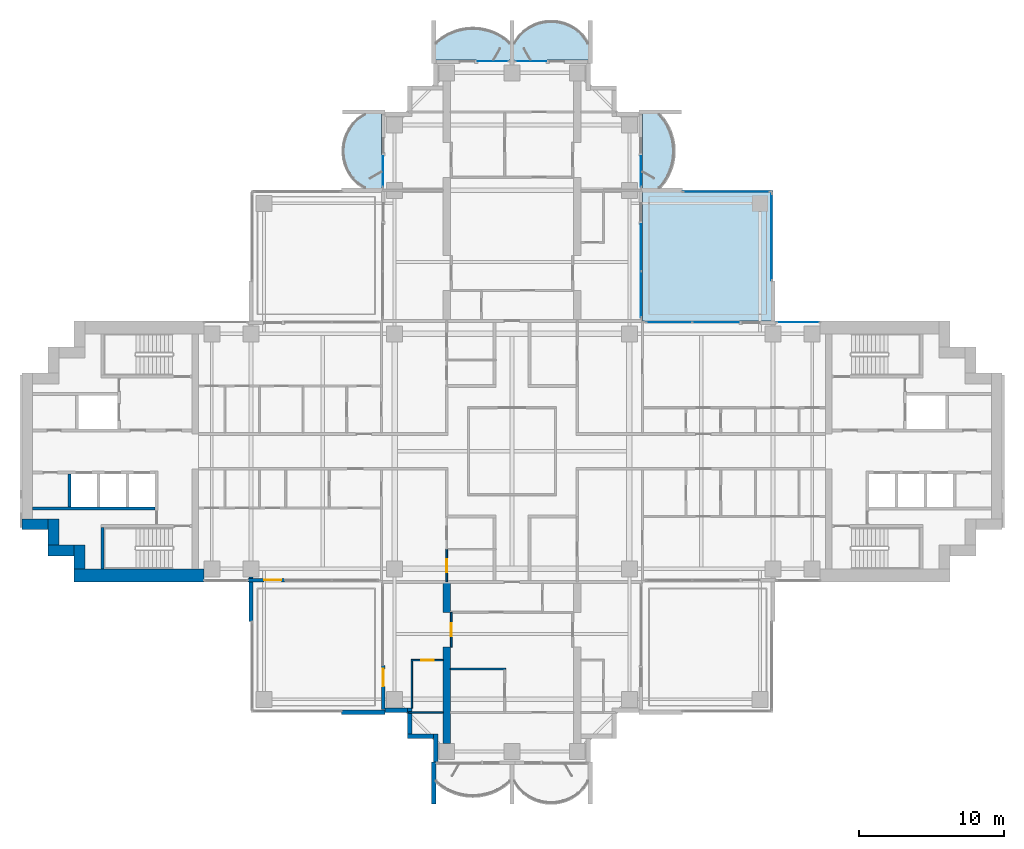
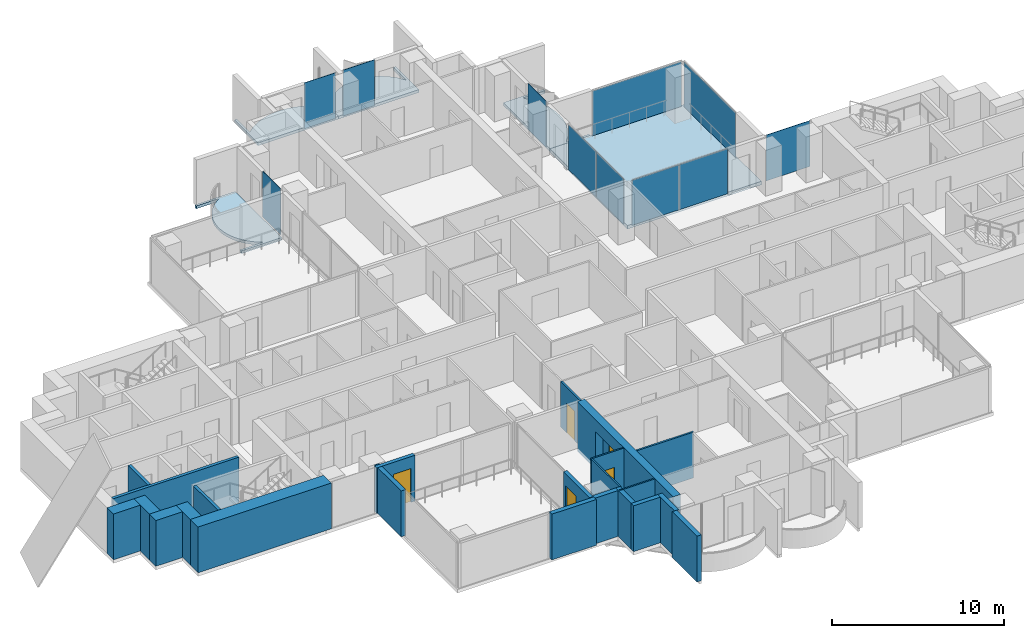
# One storey, part 8 of 18: 24 walls, 11 plates, 5 doors, 5 slabs, 5 openings, 9 elements without a shape of their own.
"""IFC4 building model written with IfcOpenShell, lengths in metres."""

from ifc_helpers import new_model, si_unit, direction, frame, frame_2d, origin, origin_2d, place, context, subcontext, project, spatial, polyline, rectangle, outline, extrude, material, layer, layer_set, material_profile, profile_set, type_object, element, fill, aggregate, save


model = new_model("IFC4")

# Units and contexts
model_context = context("Model", 3, precision=1e-05, world=origin(), true_north=direction((0.0, 1.0)))
body_context = subcontext(model_context, "Body", "Model", "MODEL_VIEW")
ifc_project = project(units=[si_unit("LENGTHUNIT", "METRE"), si_unit("AREAUNIT", "SQUARE_METRE"), si_unit("VOLUMEUNIT", "CUBIC_METRE"), si_unit("PLANEANGLEUNIT", "RADIAN"), si_unit("MASSUNIT", "GRAM", prefix="KILO")], contexts=[model_context])

# Site, building, storey
site_placement = place(None, origin())
site = spatial("IfcSite", under=ifc_project, at=site_placement, CompositionType="ELEMENT")
building_placement = place(site_placement, origin())
building = spatial("IfcBuilding", under=site, at=building_placement, Name="Perihelion Cross Residences", CompositionType="ELEMENT")
storey_placement = place(building_placement, frame((0.0, 0.0, 133.89990234375)))
storey = spatial("IfcBuildingStorey", under=building, at=storey_placement, Name="L32", CompositionType="ELEMENT", Elevation=133.89990234375)

# Slabs
ifc_material_1 = material(Name="Concrete C40/50", Category="concrete")
ifc_layer_1 = layer(ifc_material_1, 0.199951171875)
ifc_layer_set_1 = layer_set([ifc_layer_1], Name="Balcony slab 200")
slab_type_1 = type_object("IfcSlabType", Name="Balcony slab 200", PredefinedType="FLOOR", material=ifc_layer_set_1)
slab_1_placement = place(storey_placement, frame((0.0, 0.0, -0.199951171875)))
element("IfcSlab", 1, at=slab_1_placement, inside=storey, type_object=slab_type_1, Name="Slab BK1 L32 north side east bay 2 balcony", PredefinedType="FLOOR", context=body_context, shape_type="SweptSolid", body=[
    extrude(outline(polyline([(9.0, 18.0), (9.0, 23.39990234375), (11.699951171875, 23.39990234375), (11.699951171875, 23.25), (10.199951171875, 23.25), (10.5400390625, 22.824951171875), (10.792724609375, 22.39990234375), (10.9765625, 21.97509765625), (11.1025390625, 21.550048828125), (11.17578125, 21.125), (11.199951171875, 20.699951171875), (11.17578125, 20.27490234375), (11.1025390625, 19.85009765625), (10.9765625, 19.425048828125), (10.792724609375, 19.0), (10.5400390625, 18.574951171875), (10.199951171875, 18.14990234375), (11.699951171875, 18.14990234375), (11.699951171875, 18.0), (9.0, 18.0)])), origin(), (0.0, 0.0, 1.0), 0.199951171875),
])
slab_2_placement = place(storey_placement, frame((0.0, 0.0, -0.199951171875)))
element("IfcSlab", 2, at=slab_2_placement, inside=storey, type_object=slab_type_1, Name="Slab BK1 L32 north tip north bay 1 balcony", PredefinedType="FLOOR", context=body_context, shape_type="SweptSolid", body=[
    extrude(outline(polyline([(5.39990234375, 27.0), (0.0, 27.0), (0.0, 29.699951171875), (0.14990234375, 29.699951171875), (0.14990234375, 28.199951171875), (0.489990234375, 28.6767578125), (0.830078125, 29.007080078125), (1.169921875, 29.2490234375), (1.510009765625, 29.42724609375), (1.85009765625, 29.553466796875), (2.18994140625, 29.63427734375), (2.530029296875, 29.674072265625), (2.8701171875, 29.674072265625), (3.2099609375, 29.63427734375), (3.550048828125, 29.553466796875), (3.889892578125, 29.42724609375), (4.22998046875, 29.2490234375), (4.570068359375, 29.007080078125), (4.909912109375, 28.6767578125), (5.25, 28.199951171875), (5.25, 29.699951171875), (5.39990234375, 29.699951171875), (5.39990234375, 27.0)])), origin(), (0.0, 0.0, 1.0), 0.199951171875),
])
slab_3_placement = place(storey_placement, frame((0.0, 0.0, -0.199951171875)))
element("IfcSlab", 3, at=slab_3_placement, inside=storey, type_object=slab_type_1, Name="Slab BK1 L32 north tip north bay 2 balcony", PredefinedType="FLOOR", context=body_context, shape_type="SweptSolid", body=[
    extrude(outline(polyline([(0.0, 27.0), (-5.39990234375, 27.0), (-5.39990234375, 29.699951171875), (-5.25, 29.699951171875), (-5.25, 28.199951171875), (-4.824951171875, 28.5400390625), (-4.39990234375, 28.792724609375), (-3.97509765625, 28.9765625), (-3.550048828125, 29.1025390625), (-3.125, 29.17578125), (-2.699951171875, 29.199951171875), (-2.27490234375, 29.17578125), (-1.85009765625, 29.1025390625), (-1.425048828125, 28.9765625), (-1.0, 28.792724609375), (-0.574951171875, 28.5400390625), (-0.14990234375, 28.199951171875), (-0.14990234375, 29.699951171875), (0.0, 29.699951171875), (0.0, 27.0)])), origin(), (0.0, 0.0, 1.0), 0.199951171875),
])
slab_4_placement = place(storey_placement, frame((0.0, 0.0, -0.199951171875)))
element("IfcSlab", 4, at=slab_4_placement, inside=storey, type_object=slab_type_1, Name="Slab BK1 L32 north side west bay 1 balcony", PredefinedType="FLOOR", context=body_context, shape_type="SweptSolid", body=[
    extrude(outline(polyline([(-9.0, 23.39990234375), (-9.0, 18.0), (-11.699951171875, 18.0), (-11.699951171875, 18.14990234375), (-10.199951171875, 18.14990234375), (-10.6767578125, 18.489990234375), (-11.007080078125, 18.830078125), (-11.2490234375, 19.169921875), (-11.42724609375, 19.510009765625), (-11.553466796875, 19.85009765625), (-11.63427734375, 20.18994140625), (-11.674072265625, 20.530029296875), (-11.674072265625, 20.8701171875), (-11.63427734375, 21.2099609375), (-11.553466796875, 21.550048828125), (-11.42724609375, 21.889892578125), (-11.2490234375, 22.22998046875), (-11.007080078125, 22.570068359375), (-10.6767578125, 22.909912109375), (-10.199951171875, 23.25), (-11.699951171875, 23.25), (-11.699951171875, 23.39990234375), (-9.0, 23.39990234375)])), origin(), (0.0, 0.0, 1.0), 0.199951171875),
])

# Curtain wall, plate
ifc_material_2 = material(Name="Bronze anodised aluminium, tinted glazing", Category="aluminium")
curtain_wall_type_1 = type_object("IfcCurtainWallType", Name="CW1", PredefinedType="NOTDEFINED", material=ifc_material_2)
curtain_wall_1_placement = place(storey_placement, origin())
curtain_wall_1 = element("IfcCurtainWall", 5, at=curtain_wall_1_placement, inside=storey, type_object=curtain_wall_type_1, Name="Curtain wall CW1 L32 east side north bay 1", PredefinedType="NOTDEFINED")
ifc_material_3 = material(Name="Tinted laminated glass", Category="glass")
ifc_layer_2 = layer(ifc_material_3, 0.028076171875)
ifc_layer_set_2 = layer_set([ifc_layer_2], Name="CW1 panel")
plate_type_1 = type_object("IfcPlateType", Name="CW1 panel", PredefinedType="CURTAIN_PANEL", material=ifc_layer_set_2)
plate_1_placement = place(storey_placement, frame((19.72509765625, 8.89990234375, 0.0), z_axis=(0.0, 0.0, 1.0), x_axis=(-1.0, 0.0, 0.0)))
plate_1 = element("IfcPlate", 6, at=plate_1_placement, type_object=plate_type_1, Name="CW1 panel 1", PredefinedType="CURTAIN_PANEL", context=body_context, shape_type="SweptSolid", body=[
    extrude(rectangle(XDim=2.929931640625, YDim=0.028076171875, at=origin_2d()), origin(), (0.0, 0.0, 1.0), 3.25),
])
aggregate(curtain_wall_1, [plate_1])

# Curtain wall, plates
curtain_wall_2_placement = place(storey_placement, origin())
curtain_wall_2 = element("IfcCurtainWall", 7, at=curtain_wall_2_placement, inside=storey, type_object=curtain_wall_type_1, Name="Curtain wall CW1 L32 east side north bay 2", PredefinedType="NOTDEFINED")
plate_2_placement = place(storey_placement, frame((14.052490234375, 8.89990234375, 0.000244140625), z_axis=(0.0, 0.0, 1.0), x_axis=(-1.0, 0.0, 0.0)))
plate_2 = element("IfcPlate", 8, at=plate_2_placement, type_object=plate_type_1, Name="CW1 panel 1", PredefinedType="CURTAIN_PANEL", context=body_context, shape_type="SweptSolid", body=[
    extrude(rectangle(XDim=3.195068359375, YDim=0.028076171875, at=origin_2d()), origin(), (0.0, 0.0, 1.0), 3.18994140625),
])
plate_3_placement = place(storey_placement, frame((10.827392578125, 8.89990234375, 0.000244140625), z_axis=(0.0, 0.0, 1.0), x_axis=(-1.0, 0.0, 0.0)))
plate_3 = element("IfcPlate", 9, at=plate_3_placement, type_object=plate_type_1, Name="CW1 panel 2", PredefinedType="CURTAIN_PANEL", context=body_context, shape_type="SweptSolid", body=[
    extrude(rectangle(XDim=3.135009765625, YDim=0.028076171875, at=origin_2d()), origin(), (0.0, 0.0, 1.0), 3.18994140625),
])
aggregate(curtain_wall_2, [plate_2, plate_3])

curtain_wall_3_placement = place(storey_placement, origin())
curtain_wall_3 = element("IfcCurtainWall", 10, at=curtain_wall_3_placement, inside=storey, type_object=curtain_wall_type_1, Name="Curtain wall CW1 L32 north side east bay 1", PredefinedType="NOTDEFINED")
plate_4_placement = place(storey_placement, frame((8.89990234375, 10.827392578125, 0.000244140625), z_axis=(0.0, 0.0, 1.0), x_axis=(0.0, 1.0, 0.0)))
plate_4 = element("IfcPlate", 11, at=plate_4_placement, type_object=plate_type_1, Name="CW1 panel 1", PredefinedType="CURTAIN_PANEL", context=body_context, shape_type="SweptSolid", body=[
    extrude(rectangle(XDim=3.135009765625, YDim=0.028076171875, at=origin_2d()), origin(), (0.0, 0.0, 1.0), 3.18994140625),
])
plate_5_placement = place(storey_placement, frame((8.89990234375, 14.052490234375, 0.000244140625), z_axis=(0.0, 0.0, 1.0), x_axis=(0.0, 1.0, 0.0)))
plate_5 = element("IfcPlate", 12, at=plate_5_placement, type_object=plate_type_1, Name="CW1 panel 2", PredefinedType="CURTAIN_PANEL", context=body_context, shape_type="SweptSolid", body=[
    extrude(rectangle(XDim=3.195068359375, YDim=0.028076171875, at=origin_2d()), origin(), (0.0, 0.0, 1.0), 3.18994140625),
])
aggregate(curtain_wall_3, [plate_4, plate_5])

# Curtain wall, plate
curtain_wall_4_placement = place(storey_placement, origin())
curtain_wall_4 = element("IfcCurtainWall", 13, at=curtain_wall_4_placement, inside=storey, type_object=curtain_wall_type_1, Name="Curtain wall CW1 L32 north side east bay 2", PredefinedType="NOTDEFINED")
plate_6_placement = place(storey_placement, frame((8.89990234375, 19.304931640625, 0.0), z_axis=(0.0, 0.0, 1.0), x_axis=(0.0, 1.0, 0.0)))
plate_6 = element("IfcPlate", 14, at=plate_6_placement, type_object=plate_type_1, Name="CW1 panel 1", PredefinedType="CURTAIN_PANEL", context=body_context, shape_type="SweptSolid", body=[
    extrude(rectangle(XDim=2.090087890625, YDim=0.028076171875, at=origin_2d()), origin(), (0.0, 0.0, 1.0), 3.25),
])
aggregate(curtain_wall_4, [plate_6])

curtain_wall_5_placement = place(storey_placement, origin())
curtain_wall_5 = element("IfcCurtainWall", 15, at=curtain_wall_5_placement, inside=storey, type_object=curtain_wall_type_1, Name="Curtain wall CW1 L32 north tip north bay 1", PredefinedType="NOTDEFINED")
plate_7_placement = place(storey_placement, frame((1.304931640625, 26.89990234375, 0.0), z_axis=(0.0, 0.0, 1.0), x_axis=(-1.0, 0.0, 0.0)))
plate_7 = element("IfcPlate", 16, at=plate_7_placement, type_object=plate_type_1, Name="CW1 panel 1", PredefinedType="CURTAIN_PANEL", context=body_context, shape_type="SweptSolid", body=[
    extrude(rectangle(XDim=2.090087890625, YDim=0.028076171875, at=origin_2d()), origin(), (0.0, 0.0, 1.0), 3.25),
])
aggregate(curtain_wall_5, [plate_7])

curtain_wall_6_placement = place(storey_placement, origin())
curtain_wall_6 = element("IfcCurtainWall", 17, at=curtain_wall_6_placement, inside=storey, type_object=curtain_wall_type_1, Name="Curtain wall CW1 L32 north tip north bay 2", PredefinedType="NOTDEFINED")
plate_8_placement = place(storey_placement, frame((-1.304931640625, 26.89990234375, 0.0), z_axis=(0.0, 0.0, 1.0), x_axis=(-1.0, 0.0, 0.0)))
plate_8 = element("IfcPlate", 18, at=plate_8_placement, type_object=plate_type_1, Name="CW1 panel 1", PredefinedType="CURTAIN_PANEL", context=body_context, shape_type="SweptSolid", body=[
    extrude(rectangle(XDim=2.090087890625, YDim=0.028076171875, at=origin_2d()), origin(), (0.0, 0.0, 1.0), 3.25),
])
aggregate(curtain_wall_6, [plate_8])

curtain_wall_7_placement = place(storey_placement, origin())
curtain_wall_7 = element("IfcCurtainWall", 19, at=curtain_wall_7_placement, inside=storey, type_object=curtain_wall_type_1, Name="Curtain wall CW1 L32 north side west bay 1", PredefinedType="NOTDEFINED")
plate_9_placement = place(storey_placement, frame((-8.89990234375, 19.304931640625, 0.0), z_axis=(0.0, 0.0, 1.0), x_axis=(0.0, -1.0, 0.0)))
plate_9 = element("IfcPlate", 20, at=plate_9_placement, type_object=plate_type_1, Name="CW1 panel 1", PredefinedType="CURTAIN_PANEL", context=body_context, shape_type="SweptSolid", body=[
    extrude(rectangle(XDim=2.090087890625, YDim=0.028076171875, at=origin_2d()), origin(), (0.0, 0.0, 1.0), 3.25),
])
aggregate(curtain_wall_7, [plate_9])

ifc_material_4 = material(Name="Bronze anodised aluminium, tinted glazing", Category="aluminium")
curtain_wall_type_2 = type_object("IfcCurtainWallType", Name="CW4", PredefinedType="NOTDEFINED", material=ifc_material_4)
curtain_wall_8_placement = place(storey_placement, origin())
curtain_wall_8 = element("IfcCurtainWall", 21, at=curtain_wall_8_placement, inside=storey, type_object=curtain_wall_type_2, Name="Curtain wall CW4 L32 pocket north-east 1 1", PredefinedType="NOTDEFINED")
ifc_material_5 = material(Name="Tinted laminated glass", Category="glass")
ifc_layer_3 = layer(ifc_material_5, 0.030029296875)
ifc_layer_set_3 = layer_set([ifc_layer_3], Name="CW4 panel")
plate_type_2 = type_object("IfcPlateType", Name="CW4 panel", PredefinedType="CURTAIN_PANEL", material=ifc_layer_set_3)
plate_10_placement = place(storey_placement, frame((14.784912109375, 17.89990234375, 0.000244140625), z_axis=(0.0, 0.0, 1.0), x_axis=(1.0, 0.0, 0.0)))
plate_10 = element("IfcPlate", 22, at=plate_10_placement, type_object=plate_type_2, Name="CW4 panel 1", PredefinedType="CURTAIN_PANEL", context=body_context, shape_type="SweptSolid", body=[
    extrude(rectangle(XDim=5.969970703125, YDim=0.030029296875, at=origin_2d()), origin(), (0.0, 0.0, 1.0), 3.18994140625),
])
aggregate(curtain_wall_8, [plate_10])

curtain_wall_9_placement = place(storey_placement, origin())
curtain_wall_9 = element("IfcCurtainWall", 23, at=curtain_wall_9_placement, inside=storey, type_object=curtain_wall_type_2, Name="Curtain wall CW4 L32 pocket north-east 1 2", PredefinedType="NOTDEFINED")
plate_11_placement = place(storey_placement, frame((17.89990234375, 14.784912109375, 0.000244140625), z_axis=(0.0, 0.0, 1.0), x_axis=(0.0, -1.0, 0.0)))
plate_11 = element("IfcPlate", 24, at=plate_11_placement, type_object=plate_type_2, Name="CW4 panel 1", PredefinedType="CURTAIN_PANEL", context=body_context, shape_type="SweptSolid", body=[
    extrude(rectangle(XDim=5.969970703125, YDim=0.030029296875, at=origin_2d()), origin(), (0.0, 0.0, 1.0), 3.18994140625),
])
aggregate(curtain_wall_9, [plate_11])

# Slab
ifc_material_6 = material(Name="Concrete C40/50", Category="concrete")
ifc_layer_4 = layer(ifc_material_6, 0.25)
ifc_layer_set_4 = layer_set([ifc_layer_4], Name="Winter garden slab")
slab_type_2 = type_object("IfcSlabType", Name="Winter garden slab", PredefinedType="FLOOR", material=ifc_layer_set_4)
slab_5_placement = place(storey_placement, frame((0.0, 0.0, -0.25)))
element("IfcSlab", 25, at=slab_5_placement, inside=storey, type_object=slab_type_2, Name="Slab BK3 L32 pocket north-east", PredefinedType="FLOOR", context=body_context, shape_type="SweptSolid", body=[
    extrude(outline(polyline([(18.0, 9.0), (18.0, 18.0), (9.0, 18.0), (9.0, 9.0), (18.0, 9.0)])), origin(), (0.0, 0.0, 1.0), 0.25),
])

# Wall, opening, door
ifc_material_7 = material(Name="Concrete C30/37, bronze-clad", Category="concrete")
ifc_layer_5 = layer(ifc_material_7, 0.25)
ifc_layer_set_5 = layer_set([ifc_layer_5], Name="Bronze-clad pier wall 250")
wall_type_1 = type_object("IfcWallType", Name="Bronze-clad pier wall 250", PredefinedType="SOLIDWALL", material=ifc_layer_set_5)
wall_1_placement = place(storey_placement, frame((-18.199951171875, -8.875, 0.0), z_axis=(0.0, 0.0, 1.0), x_axis=(1.0, 0.0, 0.0)))
wall_1 = element("IfcWall", 26, at=wall_1_placement, inside=storey, type_object=wall_type_1, Name="Wall FW1 L32 west side south bay 2 pier", PredefinedType="SOLIDWALL", context=body_context, shape_type="SweptSolid", body=[
    extrude(rectangle(XDim=2.550048828125, YDim=0.25, at=frame_2d((1.27490234375, 0.0))), origin(), (0.0, 0.0, 1.0), 3.25),
])
opening_1_placement = place(wall_1_placement, frame((1.10009765625, 0.0, 0.0)))
opening_1 = element("IfcOpeningElement", 27, at=opening_1_placement, cuts=wall_1, Name="Opening L32.E09", PredefinedType="OPENING", context=body_context, shape_type="SweptSolid", body=[
    extrude(rectangle(XDim=1.199951171875, YDim=2.39990234375, at=frame_2d((0.60009765625, 1.199951171875))), frame((0.0, 0.135009765625, 0.0), z_axis=(0.0, -1.0, 0.0), x_axis=(1.0, 0.0, 0.0)), (0.0, 0.0, 1.0), 0.27001953125),
])
ifc_material_8 = material(Name="Bronze anodised aluminium, glazed", Category="aluminium")
door_type_1 = type_object("IfcDoorType", Name="Balcony door 1200 x 2400", OperationType="NOTDEFINED", PredefinedType="DOOR", material=ifc_material_8)
door_1_placement = place(opening_1_placement, origin())
door_1 = element("IfcDoor", 28, at=door_1_placement, inside=storey, type_object=door_type_1, Name="Door L32.E09 west side south bay 2", OperationType="SINGLE_SWING_RIGHT", OverallHeight=2.39990234375, OverallWidth=1.199951171875, PredefinedType="DOOR", context=body_context, shape_type="SweptSolid", body=[
    extrude(rectangle(XDim=1.199951171875, YDim=2.39990234375, at=frame_2d((0.60009765625, 1.199951171875))), frame((0.0, 0.02490234375, 0.0), z_axis=(0.0, -1.0, 0.0), x_axis=(1.0, 0.0, 0.0)), (0.0, 0.0, 1.0), 0.050048828125),
])
fill(opening_1, door_1)

wall_2_placement = place(storey_placement, frame((-8.875, -14.75, 0.0), z_axis=(0.0, 0.0, 1.0), x_axis=(0.0, -1.0, 0.0)))
wall_2 = element("IfcWall", 29, at=wall_2_placement, inside=storey, type_object=wall_type_1, Name="Wall FW1 L32 south side west bay 1 pier", PredefinedType="SOLIDWALL", context=body_context, shape_type="SweptSolid", body=[
    extrude(rectangle(XDim=3.050048828125, YDim=0.25, at=frame_2d((1.52490234375, 0.0))), origin(), (0.0, 0.0, 1.0), 3.25),
])
opening_2_placement = place(wall_2_placement, frame((0.25, 0.0, 0.0)))
opening_2 = element("IfcOpeningElement", 30, at=opening_2_placement, cuts=wall_2, Name="Opening L32.E10", PredefinedType="OPENING", context=body_context, shape_type="SweptSolid", body=[
    extrude(rectangle(XDim=1.199951171875, YDim=2.39990234375, at=frame_2d((0.60009765625, 1.199951171875))), frame((0.0, 0.135009765625, 0.0), z_axis=(0.0, -1.0, 0.0), x_axis=(1.0, 0.0, 0.0)), (0.0, 0.0, 1.0), 0.27001953125),
])
door_2_placement = place(opening_2_placement, origin())
door_2 = element("IfcDoor", 31, at=door_2_placement, inside=storey, type_object=door_type_1, Name="Door L32.E10 south side west bay 1", OperationType="SINGLE_SWING_LEFT", OverallHeight=2.39990234375, OverallWidth=1.199951171875, PredefinedType="DOOR", context=body_context, shape_type="SweptSolid", body=[
    extrude(rectangle(XDim=1.199951171875, YDim=2.39990234375, at=frame_2d((0.60009765625, 1.199951171875))), frame((0.0, 0.02490234375, 0.0), z_axis=(0.0, -1.0, 0.0), x_axis=(1.0, 0.0, 0.0)), (0.0, 0.0, 1.0), 0.050048828125),
])
fill(opening_2, door_2)

# Walls
ifc_material_9 = material(Name="Concrete C30/37, bronze-clad", Category="concrete")
ifc_layer_6 = layer(ifc_material_9, 0.300048828125)
ifc_layer_set_6 = layer_set([ifc_layer_6], Name="Bronze-clad serration wall 300")
wall_type_2 = type_object("IfcWallType", Name="Bronze-clad serration wall 300", PredefinedType="SOLIDWALL", material=ifc_layer_set_6)
wall_3_placement = place(storey_placement, frame((-8.75, -17.85009765625, 0.0), z_axis=(0.0, 0.0, 1.0), x_axis=(1.0, 0.0, 0.0)))
element("IfcWall", 32, at=wall_3_placement, inside=storey, type_object=wall_type_2, Name="Wall SR1 L32 south corner south-west 1", PredefinedType="SOLIDWALL", context=body_context, shape_type="SweptSolid", body=[
    extrude(rectangle(XDim=1.550048828125, YDim=0.300048828125, at=frame_2d((0.77490234375, 0.0))), origin(), (0.0, 0.0, 1.0), 3.25),
])
for number, where, z_axis, x_axis, name in (
    (33, (-7.050048828125, -17.699951171875, 0.0), (0.0, 0.0, 1.0), (0.0, -1.0, 0.0), "Wall SR1 L32 south corner south-west 2"),
    (34, (-7.199951171875, -19.64990234375, 0.0), (0.0, 0.0, 1.0), (1.0, 0.0, 0.0), "Wall SR1 L32 south corner south-west 3"),
):
    element("IfcWall", number, at=place(storey_placement, frame(where, z_axis=z_axis, x_axis=x_axis)), inside=storey, type_object=wall_type_2, Name=name, PredefinedType="SOLIDWALL", context=body_context, shape_type="SweptSolid", body=[
        extrude(rectangle(XDim=1.800048828125, YDim=0.300048828125, at=frame_2d((0.89990234375, 0.0))), origin(), (0.0, 0.0, 1.0), 3.25),
    ])
wall_4_placement = place(storey_placement, frame((-5.25, -19.5, 0.0), z_axis=(0.0, 0.0, 1.0), x_axis=(0.0, -1.0, 0.0)))
element("IfcWall", 35, at=wall_4_placement, inside=storey, type_object=wall_type_2, Name="Wall SR1 L32 south corner south-west 4", PredefinedType="SOLIDWALL", context=body_context, shape_type="SweptSolid", body=[
    extrude(rectangle(XDim=1.919921875, YDim=0.300048828125, at=frame_2d((0.9599609375, 0.0))), origin(), (0.0, 0.0, 1.0), 3.25),
])
ifc_material_10 = material(Name="Concrete C60/75", Category="concrete")
ifc_layer_7 = layer(ifc_material_10, 0.75)
ifc_layer_set_7 = layer_set([ifc_layer_7], Name="Core wall, outer 750")
wall_type_3 = type_object("IfcWallType", Name="Core wall, outer 750", PredefinedType="SHEAR", material=ifc_layer_set_7)
wall_5_placement = place(storey_placement, frame((-29.824951171875, -8.10009765625, 0.0), z_axis=(0.0, 0.0, 1.0), x_axis=(0.0, 1.0, 0.0)))
element("IfcWall", 36, at=wall_5_placement, inside=storey, type_object=wall_type_3, Name="West core core wall, outer", PredefinedType="SHEAR", context=body_context, shape_type="SweptSolid", body=[
    extrude(rectangle(XDim=1.650146484375, YDim=0.75, at=frame_2d((0.8251953125, 0.0))), origin(), (0.0, 0.0, 1.0), 3.25),
])
for number, where, z_axis, x_axis, name in (
    (37, (-32.0, -6.824951171875, 0.0), (0.0, 0.0, 1.0), (1.0, 0.0, 0.0), "West core core wall, outer"),
    (38, (-31.625, -6.449951171875, 0.0), (0.0, 0.0, 1.0), (0.0, 1.0, 0.0), "West core core wall, outer"),
    (39, (-33.800048828125, -5.02490234375, 0.0), (0.0, 0.0, 1.0), (1.0, 0.0, 0.0), "West core core wall, outer"),
):
    element("IfcWall", number, at=place(storey_placement, frame(where, z_axis=z_axis, x_axis=x_axis)), inside=storey, type_object=wall_type_3, Name=name, PredefinedType="SHEAR", context=body_context, shape_type="SweptSolid", body=[
        extrude(rectangle(XDim=1.800048828125, YDim=0.75, at=frame_2d((0.89990234375, 0.0))), origin(), (0.0, 0.0, 1.0), 3.25),
    ])
ifc_material_11 = material(Name="Concrete C60/75", Category="concrete")
ifc_layer_8 = layer(ifc_material_11, 0.89990234375)
ifc_layer_set_8 = layer_set([ifc_layer_8], Name="Core wall, outer 900")
wall_type_4 = type_object("IfcWallType", Name="Core wall, outer 900", PredefinedType="SHEAR", material=ifc_layer_set_8)
wall_6_placement = place(storey_placement, frame((-30.199951171875, -8.550048828125, 0.0), z_axis=(0.0, 0.0, 1.0), x_axis=(1.0, 0.0, 0.0)))
element("IfcWall", 40, at=wall_6_placement, inside=storey, type_object=wall_type_4, Name="West core core wall, outer", PredefinedType="SHEAR", context=body_context, shape_type="SweptSolid", body=[
    extrude(rectangle(XDim=8.949951171875, YDim=0.89990234375, at=frame_2d((4.47509765625, 0.0))), origin(), (0.0, 0.0, 1.0), 3.25),
])

# Wall, opening, door
ifc_material_12 = material(Name="Plasterboard partition")
ifc_layer_9 = layer(ifc_material_12, 0.1201171875)
ifc_layer_set_9 = layer_set([ifc_layer_9], Name="Infill panel 120")
wall_type_5 = type_object("IfcWallType", Name="Infill panel 120", PredefinedType="PARTITIONING", material=ifc_layer_set_9)
wall_7_placement = place(storey_placement, frame((-4.18994140625, -11.10009765625, 0.0), z_axis=(0.0, 0.0, 1.0), x_axis=(0.0, -1.0, 0.0)))
wall_7 = element("IfcWall", 41, at=wall_7_placement, inside=storey, type_object=wall_type_5, Name="Partition L32 WI06", PredefinedType="PARTITIONING", context=body_context, shape_type="SweptSolid", body=[
    extrude(rectangle(XDim=2.39990234375, YDim=0.1201171875, at=frame_2d((1.199951171875, 0.0))), origin(), (0.0, 0.0, 1.0), 2.400146484375),
])
opening_3_placement = place(wall_7_placement, frame((0.75, 0.0, 0.0)))
opening_3 = element("IfcOpeningElement", 42, at=opening_3_placement, cuts=wall_7, Name="Opening L32.A55", PredefinedType="OPENING", context=body_context, shape_type="SweptSolid", body=[
    extrude(rectangle(XDim=0.89990234375, YDim=2.10009765625, at=frame_2d((0.449951171875, 1.050048828125))), frame((0.0, 0.070068359375, 0.0), z_axis=(0.0, -1.0, 0.0), x_axis=(1.0, 0.0, 0.0)), (0.0, 0.0, 1.0), 0.14013671875),
])
ifc_material_13 = material(Name="Timber door leaf", Category="wood")
door_type_2 = type_object("IfcDoorType", Name="Interior room door 900 x 2100", OperationType="SINGLE_SWING_LEFT", PredefinedType="DOOR", material=ifc_material_13)
door_3_placement = place(opening_3_placement, origin())
door_3 = element("IfcDoor", 43, at=door_3_placement, inside=storey, type_object=door_type_2, Name="Door L32.A55", OperationType="SINGLE_SWING_LEFT", OverallHeight=2.10009765625, OverallWidth=0.89990234375, PredefinedType="DOOR", context=body_context, shape_type="SweptSolid", body=[
    extrude(rectangle(XDim=0.89990234375, YDim=2.10009765625, at=frame_2d((0.449951171875, 1.050048828125))), frame((0.0, 0.02490234375, 0.0), z_axis=(0.0, -1.0, 0.0), x_axis=(1.0, 0.0, 0.0)), (0.0, 0.0, 1.0), 0.050048828125),
])
fill(opening_3, door_3)

ifc_material_14 = material(Name="Plasterboard partition")
ifc_layer_10 = layer(ifc_material_14, 0.1201171875)
ifc_layer_set_10 = layer_set([ifc_layer_10], Name="Partition wall 120")
wall_type_6 = type_object("IfcWallType", Name="Partition wall 120", PredefinedType="PARTITIONING", material=ifc_layer_set_10)
wall_8_placement = place(storey_placement, frame((-4.5, -6.75, 0.0), z_axis=(0.0, 0.0, 1.0), x_axis=(0.0, -1.0, 0.0)))
wall_8 = element("IfcWall", 44, at=wall_8_placement, inside=storey, type_object=wall_type_6, Name="Partition L32 W062", PredefinedType="PARTITIONING", context=body_context, shape_type="SweptSolid", body=[
    extrude(rectangle(XDim=2.25, YDim=0.1201171875, at=frame_2d((1.125, 0.0))), origin(), (0.0, 0.0, 1.0), 3.25),
])
opening_4_placement = place(wall_8_placement, frame((0.675048828125, 0.0, 0.0)))
opening_4 = element("IfcOpeningElement", 45, at=opening_4_placement, cuts=wall_8, Name="Opening L32.A28", PredefinedType="OPENING", context=body_context, shape_type="SweptSolid", body=[
    extrude(rectangle(XDim=0.89990234375, YDim=2.10009765625, at=frame_2d((0.449951171875, 1.050048828125))), frame((0.0, 0.070068359375, 0.0), z_axis=(0.0, -1.0, 0.0), x_axis=(1.0, 0.0, 0.0)), (0.0, 0.0, 1.0), 0.14013671875),
])
door_4_placement = place(opening_4_placement, origin())
door_4 = element("IfcDoor", 46, at=door_4_placement, inside=storey, type_object=door_type_2, Name="Door L32.A28", OperationType="SINGLE_SWING_RIGHT", OverallHeight=2.10009765625, OverallWidth=0.89990234375, PredefinedType="DOOR", context=body_context, shape_type="SweptSolid", body=[
    extrude(rectangle(XDim=0.89990234375, YDim=2.10009765625, at=frame_2d((0.449951171875, 1.050048828125))), frame((0.0, 0.02490234375, 0.0), z_axis=(0.0, -1.0, 0.0), x_axis=(1.0, 0.0, 0.0)), (0.0, 0.0, 1.0), 0.050048828125),
])
fill(opening_4, door_4)

# Walls
wall_9_placement = place(storey_placement, frame((-0.43994140625, -15.0, 0.0), z_axis=(0.0, 0.0, 1.0), x_axis=(-1.0, 0.0, 0.0)))
element("IfcWall", 47, at=wall_9_placement, inside=storey, type_object=wall_type_6, Name="Partition L32 W081", PredefinedType="PARTITIONING", context=body_context, shape_type="SweptSolid", body=[
    extrude(rectangle(XDim=3.81005859375, YDim=0.1201171875, at=frame_2d((1.905029296875, 0.0))), origin(), (0.0, 0.0, 1.0), 3.25),
])
ifc_material_15 = material(Name="Precast concrete C50/60", Category="concrete")
ifc_layer_11 = layer(ifc_material_15, 0.300048828125)
ifc_layer_set_11 = layer_set([ifc_layer_11], Name="Precast concrete C50/60 blade wall 300")
wall_type_7 = type_object("IfcWallType", Name="Precast concrete C50/60 blade wall 300", PredefinedType="SOLIDWALL", material=ifc_layer_set_11)
wall_10_placement = place(storey_placement, frame((-18.0, -8.64990234375, 0.0), z_axis=(0.0, 0.0, 1.0), x_axis=(0.0, -1.0, 0.0)))
element("IfcWall", 48, at=wall_10_placement, inside=storey, type_object=wall_type_7, Name="Wall BL1 L32 no. 1", PredefinedType="SOLIDWALL", context=body_context, shape_type="SweptSolid", body=[
    extrude(rectangle(XDim=3.090087890625, YDim=0.300048828125, at=frame_2d((1.544921875, 0.0))), origin(), (0.0, 0.0, 1.0), 3.25),
])
wall_11_placement = place(storey_placement, frame((-8.75, -18.0, 0.0), z_axis=(0.0, 0.0, 1.0), x_axis=(-1.0, 0.0, 0.0)))
element("IfcWall", 49, at=wall_11_placement, inside=storey, type_object=wall_type_7, Name="Wall BL1 L32 no. 5", PredefinedType="SOLIDWALL", context=body_context, shape_type="SweptSolid", body=[
    extrude(rectangle(XDim=2.989990234375, YDim=0.300048828125, at=frame_2d((1.4951171875, 0.0))), origin(), (0.0, 0.0, 1.0), 3.25),
])
wall_12_placement = place(storey_placement, frame((-5.39990234375, -21.419921875, 0.0), z_axis=(0.0, 0.0, 1.0), x_axis=(0.0, -1.0, 0.0)))
element("IfcWall", 50, at=wall_12_placement, inside=storey, type_object=wall_type_7, Name="Wall BL1 L32 no. 3", PredefinedType="SOLIDWALL", context=body_context, shape_type="SweptSolid", body=[
    extrude(rectangle(XDim=2.880126953125, YDim=0.300048828125, at=frame_2d((1.43994140625, 0.0))), origin(), (0.0, 0.0, 1.0), 3.25),
])
ifc_material_16 = material(Name="Concrete C50/60", Category="concrete")
ifc_layer_12 = layer(ifc_material_16, 0.199951171875)
ifc_layer_set_12 = layer_set([ifc_layer_12], Name="Shaft wall 200")
wall_type_8 = type_object("IfcWallType", Name="Shaft wall 200", PredefinedType="SOLIDWALL", material=ifc_layer_set_12)
wall_13_placement = place(storey_placement, frame((-33.050048828125, -3.949951171875, 0.0), z_axis=(0.0, 0.0, 1.0), x_axis=(1.0, 0.0, 0.0)))
element("IfcWall", 51, at=wall_13_placement, inside=storey, type_object=wall_type_8, Name="West core shaft wall", PredefinedType="SOLIDWALL", context=body_context, shape_type="SweptSolid", body=[
    extrude(rectangle(XDim=8.449951171875, YDim=0.199951171875, at=frame_2d((4.22509765625, 0.0))), origin(), (0.0, 0.0, 1.0), 3.25),
])
wall_14_placement = place(storey_placement, frame((-30.5, -3.85009765625, 0.0), z_axis=(0.0, 0.0, 1.0), x_axis=(0.0, 1.0, 0.0)))
element("IfcWall", 52, at=wall_14_placement, inside=storey, type_object=wall_type_8, Name="West core shaft wall", PredefinedType="SOLIDWALL", context=body_context, shape_type="SweptSolid", body=[
    extrude(rectangle(XDim=2.300048828125, YDim=0.199951171875, at=frame_2d((1.14990234375, 0.0))), origin(), (0.0, 0.0, 1.0), 3.25),
])
ifc_material_17 = material(Name="Concrete C50/60", Category="concrete")
ifc_layer_13 = layer(ifc_material_17, 0.199951171875)
ifc_layer_set_13 = layer_set([ifc_layer_13], Name="Stair wall 200")
wall_type_9 = type_object("IfcWallType", Name="Stair wall 200", PredefinedType="SOLIDWALL", material=ifc_layer_set_13)
wall_15_placement = place(storey_placement, frame((-28.25, -8.10009765625, 0.0), z_axis=(0.0, 0.0, 1.0), x_axis=(0.0, 1.0, 0.0)))
element("IfcWall", 53, at=wall_15_placement, inside=storey, type_object=wall_type_9, Name="West core stair wall", PredefinedType="SOLIDWALL", context=body_context, shape_type="SweptSolid", body=[
    extrude(rectangle(XDim=2.85009765625, YDim=0.199951171875, at=frame_2d((1.425048828125, 0.0))), origin(), (0.0, 0.0, 1.0), 3.25),
])
ifc_material_18 = material(Name="Concrete C60/75", Category="concrete")
ifc_material_profile = material_profile(ifc_material_18, outline(polyline([(0.0, 0.0), (6.64990234375, 0.0), (6.64990234375, 2.64990234375), (9.050048828125, 2.64990234375), (9.050048828125, 0.0), (11.14990234375, 0.0), (11.14990234375, 3.5), (0.0, 3.5), (0.0, 0.0)])), Name="Tip spine wall")
ifc_profile_set = profile_set([ifc_material_profile], Name="Concrete C60/75")
wall_type_10 = type_object("IfcWallType", Name="Tip spine wall 500 with 1 door openings 11150 long 3500 high concrete C60/75", PredefinedType="SHEAR", material=ifc_profile_set)
wall_16_placement = place(storey_placement, frame((-4.75, -20.14990234375, -0.25), z_axis=(1.0, 0.0, 0.0), x_axis=(0.0, 1.0, 0.0)))
element("IfcWall", 54, at=wall_16_placement, inside=storey, type_object=wall_type_10, Name="Shear wall SW33 L32 south west", PredefinedType="SHEAR", context=body_context, shape_type="SweptSolid", body=[
    extrude(outline(polyline([(0.0, 0.0), (6.64990234375, 0.0), (6.64990234375, 2.64990234375), (9.050048828125, 2.64990234375), (9.050048828125, 0.0), (11.14990234375, 0.0), (11.14990234375, 3.5), (0.0, 3.5), (0.0, 0.0)])), origin(), (0.0, 0.0, 1.0), 0.5),
])

# Wall, opening, door
ifc_material_19 = material(Name="Plasterboard partition")
ifc_layer_14 = layer(ifc_material_19, 0.10009765625)
ifc_layer_set_14 = layer_set([ifc_layer_14], Name="Wet room wall 100")
wall_type_11 = type_object("IfcWallType", Name="Wet room wall 100", PredefinedType="PARTITIONING", material=ifc_layer_set_14)
wall_17_placement = place(storey_placement, frame((-4.75, -14.39990234375, 0.0), z_axis=(0.0, 0.0, 1.0), x_axis=(-1.0, 0.0, 0.0)))
wall_17 = element("IfcWall", 55, at=wall_17_placement, inside=storey, type_object=wall_type_11, Name="Partition L32 W087", PredefinedType="PARTITIONING", context=body_context, shape_type="SweptSolid", body=[
    extrude(rectangle(XDim=2.199951171875, YDim=0.10009765625, at=frame_2d((1.10009765625, 0.0))), origin(), (0.0, 0.0, 1.0), 3.25),
])
opening_5_placement = place(wall_17_placement, frame((0.64990234375, 0.0, 0.0)))
opening_5 = element("IfcOpeningElement", 56, at=opening_5_placement, cuts=wall_17, Name="Opening L32.A45", PredefinedType="OPENING", context=body_context, shape_type="SweptSolid", body=[
    extrude(rectangle(XDim=0.85009765625, YDim=2.10009765625, at=frame_2d((0.425048828125, 1.050048828125))), frame((0.0, 0.06005859375, 0.0), z_axis=(0.0, -1.0, 0.0), x_axis=(1.0, 0.0, 0.0)), (0.0, 0.0, 1.0), 0.1201171875),
])
ifc_material_20 = material(Name="Timber door leaf", Category="wood")
door_type_3 = type_object("IfcDoorType", Name="Interior bathroom door 850 x 2100", OperationType="SINGLE_SWING_LEFT", PredefinedType="DOOR", material=ifc_material_20)
door_5_placement = place(opening_5_placement, origin())
door_5 = element("IfcDoor", 57, at=door_5_placement, inside=storey, type_object=door_type_3, Name="Door L32.A45", OperationType="SINGLE_SWING_LEFT", OverallHeight=2.10009765625, OverallWidth=0.85009765625, PredefinedType="DOOR", context=body_context, shape_type="SweptSolid", body=[
    extrude(rectangle(XDim=0.85009765625, YDim=2.10009765625, at=frame_2d((0.425048828125, 1.050048828125))), frame((0.0, 0.02490234375, 0.0), z_axis=(0.0, -1.0, 0.0), x_axis=(1.0, 0.0, 0.0)), (0.0, 0.0, 1.0), 0.050048828125),
])
fill(opening_5, door_5)

# Walls
wall_18_placement = place(storey_placement, frame((-6.89990234375, -14.449951171875, 0.0), z_axis=(0.0, 0.0, 1.0), x_axis=(0.0, -1.0, 0.0)))
element("IfcWall", 58, at=wall_18_placement, inside=storey, type_object=wall_type_11, Name="Partition L32 W088", PredefinedType="PARTITIONING", context=body_context, shape_type="SweptSolid", body=[
    extrude(rectangle(XDim=3.25, YDim=0.10009765625, at=frame_2d((1.625, 0.0))), origin(), (0.0, 0.0, 1.0), 3.25),
])
wall_19_placement = place(storey_placement, frame((-4.75, -18.0, 0.0), z_axis=(0.0, 0.0, 1.0), x_axis=(-1.0, 0.0, 0.0)))
element("IfcWall", 59, at=wall_19_placement, inside=storey, type_object=wall_type_11, Name="Partition L32 W089", PredefinedType="PARTITIONING", context=body_context, shape_type="SweptSolid", body=[
    extrude(rectangle(XDim=2.3701171875, YDim=0.10009765625, at=frame_2d((1.18505859375, 0.0))), origin(), (0.0, 0.0, 1.0), 3.25),
])

save(model, "model.ifc")
